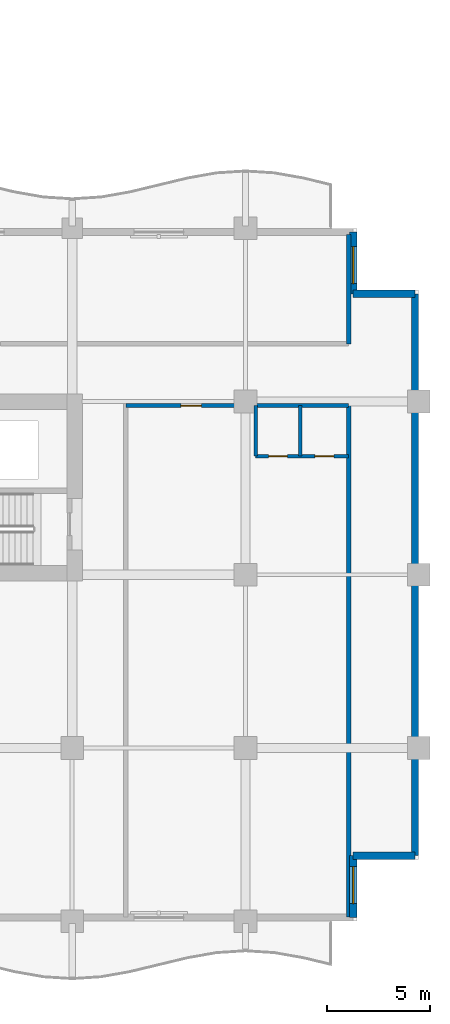
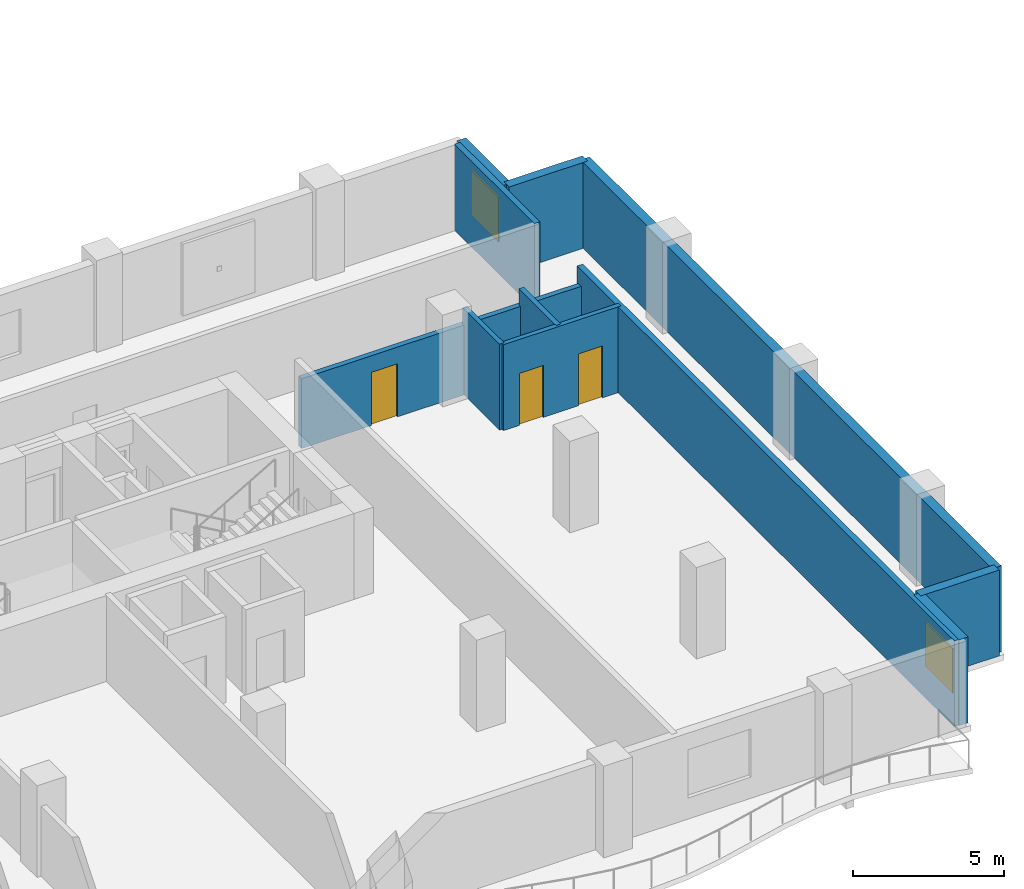
# One storey, part 12 of 20: 11 walls, 3 doors, 2 windows, 5 openings.
"""IFC4 building model written with IfcOpenShell, lengths in metres."""

from ifc_helpers import new_model, si_unit, direction, frame, frame_2d, origin, place, context, subcontext, project, spatial, rectangle, extrude, material, layer, layer_set, type_object, element, fill, save


model = new_model("IFC4")

# Units and contexts
model_context = context("Model", 3, precision=1e-05, world=origin(), true_north=direction((0.0, 1.0)))
body_context = subcontext(model_context, "Body", "Model", "MODEL_VIEW")
ifc_project = project(units=[si_unit("LENGTHUNIT", "METRE"), si_unit("AREAUNIT", "SQUARE_METRE"), si_unit("VOLUMEUNIT", "CUBIC_METRE"), si_unit("PLANEANGLEUNIT", "RADIAN"), si_unit("MASSUNIT", "GRAM", prefix="KILO")], contexts=[model_context])

# Site, building, storey
site_placement = place(None, origin())
site = spatial("IfcSite", under=ifc_project, at=site_placement, CompositionType="ELEMENT")
building_placement = place(site_placement, origin())
building = spatial("IfcBuilding", under=site, at=building_placement, Name="Koriwani Terraces Tower", CompositionType="ELEMENT")
storey_placement = place(building_placement, frame((0.0, 0.0, 175.39990234375)))
storey = spatial("IfcBuildingStorey", under=building, at=storey_placement, Name="L42", CompositionType="ELEMENT", Elevation=175.39990234375)

# Wall, opening, door
ifc_material_1 = material(Name="Autoclaved Cellular Concrete Blockwork", Category="masonry")
ifc_layer_1 = layer(ifc_material_1, 0.199951171875, Name="Autoclaved Cellular Concrete Blockwork")
ifc_layer_set_1 = layer_set([ifc_layer_1], Name="Autoclaved Cellular Concrete Blockwork")
wall_type_1 = type_object("IfcWallType", Name="WALL_CORRIDOR_200", PredefinedType="PARTITIONING", material=ifc_layer_set_1)
wall_1_placement = place(storey_placement, frame((61.39990234375, 25.0, 0.0), z_axis=(0.0, 0.0, 1.0), x_axis=(1.0, 0.0, 0.0)))
wall_1 = element("IfcWall", 1, at=wall_1_placement, inside=storey, type_object=wall_type_1, Name="L42 Interior Wall WRCOR-L42-SE-0", PredefinedType="PARTITIONING", context=body_context, shape_type="SweptSolid", body=[
    extrude(rectangle(XDim=10.800048828125, YDim=0.199951171875, at=frame_2d((5.39990234375, 0.0))), origin(), (0.0, 0.0, 1.0), 2.820068359375),
])
opening_1_placement = place(wall_1_placement, frame((2.669921875, 0.0, 0.0)))
opening_1 = element("IfcOpeningElement", 2, at=opening_1_placement, cuts=wall_1, Name="Opening D-05", PredefinedType="OPENING", context=body_context, shape_type="SweptSolid", body=[
    extrude(rectangle(XDim=1.0, YDim=2.14990234375, at=frame_2d((0.5, 1.074951171875))), frame((0.0, 0.10986328125, 0.0), z_axis=(0.0, -1.0, 0.0), x_axis=(1.0, 0.0, 0.0)), (0.0, 0.0, 1.0), 0.219970703125),
])
ifc_material_2 = material(Name="Architectural Oak Fire Door", Category="wood")
door_type_1 = type_object("IfcDoorType", Name="DOOR_SUITE_ENTRY_1000X2150", OperationType="NOTDEFINED", PredefinedType="DOOR", material=ifc_material_2)
door_1_placement = place(opening_1_placement, origin())
door_1 = element("IfcDoor", 3, at=door_1_placement, inside=storey, type_object=door_type_1, Name="Apartment 42SE1 Entrance Door", OperationType="SINGLE_SWING_RIGHT", OverallHeight=2.14990234375, OverallWidth=1.0, PredefinedType="DOOR", context=body_context, shape_type="SweptSolid", body=[
    extrude(rectangle(XDim=1.0, YDim=2.14990234375, at=frame_2d((0.5, 1.074951171875))), frame((0.0, 0.02490234375, 0.0), z_axis=(0.0, -1.0, 0.0), x_axis=(1.0, 0.0, 0.0)), (0.0, 0.0, 1.0), 0.050048828125),
])
fill(opening_1, door_1)

# Walls
ifc_layer_2 = layer(ifc_material_1, 0.219970703125, Name="Autoclaved Cellular Concrete Blockwork")
ifc_layer_set_2 = layer_set([ifc_layer_2], Name="Autoclaved Cellular Concrete Blockwork")
wall_type_2 = type_object("IfcWallType", Name="WALL_DEMISING_220", PredefinedType="PARTITIONING", material=ifc_layer_set_2)
wall_2_placement = place(storey_placement, frame((72.199951171875, 0.199951171875, 0.0), z_axis=(0.0, 0.0, 1.0), x_axis=(0.0, 1.0, 0.0)))
element("IfcWall", 4, at=wall_2_placement, inside=storey, type_object=wall_type_2, Name="L42 Interior Wall WRDEME-L42-SE", PredefinedType="PARTITIONING", context=body_context, shape_type="SweptSolid", body=[
    extrude(rectangle(XDim=24.97998046875, YDim=0.219970703125, at=frame_2d((12.489990234375, 0.0))), origin(), (0.0, 0.0, 1.0), 3.47021484375),
])
wall_3_placement = place(storey_placement, frame((72.199951171875, 28.0, 0.0), z_axis=(0.0, 0.0, 1.0), x_axis=(0.0, 1.0, 0.0)))
element("IfcWall", 5, at=wall_3_placement, inside=storey, type_object=wall_type_2, Name="L42 Interior Wall WSEC-E-L42", PredefinedType="PARTITIONING", context=body_context, shape_type="SweptSolid", body=[
    extrude(rectangle(XDim=5.300048828125, YDim=0.219970703125, at=frame_2d((2.64990234375, 0.0))), origin(), (0.0, 0.0, 1.0), 3.47021484375),
])

# Wall, opening, window
ifc_material_3 = material(Name="Concrete C50/60", Category="concrete")
ifc_layer_3 = layer(ifc_material_3, 0.35009765625, Name="Concrete C50/60")
ifc_layer_set_3 = layer_set([ifc_layer_3], Name="Concrete C50/60")
wall_type_3 = type_object("IfcWallType", Name="WALL_EXT_BRUTALIST_350", PredefinedType="STANDARD", material=ifc_layer_set_3)
wall_4_placement = place(storey_placement, frame((72.425048828125, 33.425048828125, 0.0), z_axis=(0.0, 0.0, 1.0), x_axis=(0.0, -1.0, 0.0)))
wall_4 = element("IfcWall", 6, at=wall_4_placement, inside=storey, type_object=wall_type_3, Name="L42 Fair-Faced Brutalist Exterior Wall (N10)", PredefinedType="STANDARD", context=body_context, shape_type="SweptSolid", body=[
    extrude(rectangle(XDim=3.0, YDim=0.35009765625, at=frame_2d((1.5, 0.0))), origin(), (0.0, 0.0, 1.0), 3.47021484375),
])
opening_2_placement = place(wall_4_placement, frame((0.71240234375, 0.0, 0.85009765625)))
opening_2 = element("IfcOpeningElement", 7, at=opening_2_placement, cuts=wall_4, Name="Opening W-04", PredefinedType="OPENING", context=body_context, shape_type="SweptSolid", body=[
    extrude(rectangle(XDim=1.800048828125, YDim=1.800048828125, at=frame_2d((0.89990234375, 0.89990234375))), frame((0.0, 0.18505859375, 0.0), z_axis=(0.0, -1.0, 0.0), x_axis=(1.0, 0.0, 0.0)), (0.0, 0.0, 1.0), 0.3701171875),
])
ifc_material_4 = material(Name="Tempered Laminated Low-E Glass", Category="glass")
window_type = type_object("IfcWindowType", Name="WIN_RES_BED_1800X1800", PartitioningType="DOUBLE_PANEL_VERTICAL", PredefinedType="WINDOW", material=ifc_material_4)
window_1_placement = place(opening_2_placement, origin())
window_1 = element("IfcWindow", 8, at=window_1_placement, inside=storey, type_object=window_type, Name="L42 Exterior Window (N10-R56)", OverallHeight=1.800048828125, OverallWidth=1.800048828125, PartitioningType="SINGLE_PANEL", PredefinedType="WINDOW", context=body_context, shape_type="SweptSolid", body=[
    extrude(rectangle(XDim=1.800048828125, YDim=1.800048828125, at=frame_2d((0.89990234375, 0.89990234375))), frame((0.0, 0.030029296875, 0.0), z_axis=(0.0, -1.0, 0.0), x_axis=(1.0, 0.0, 0.0)), (0.0, 0.0, 1.0), 0.06005859375),
])
fill(opening_2, window_1)

# Walls
wall_5_placement = place(storey_placement, frame((72.425048828125, 30.425048828125, 0.0), z_axis=(0.0, 0.0, 1.0), x_axis=(1.0, 0.0, 0.0)))
element("IfcWall", 9, at=wall_5_placement, inside=storey, type_object=wall_type_3, Name="L42 Fair-Faced Brutalist Exterior Wall (N11)", PredefinedType="STANDARD", context=body_context, shape_type="SweptSolid", body=[
    extrude(rectangle(XDim=3.0, YDim=0.35009765625, at=frame_2d((1.5, 0.0))), origin(), (0.0, 0.0, 1.0), 3.47021484375),
])
wall_6_placement = place(storey_placement, frame((75.425048828125, 30.425048828125, 0.0), z_axis=(0.0, 0.0, 1.0), x_axis=(0.0, -1.0, 0.0)))
element("IfcWall", 10, at=wall_6_placement, inside=storey, type_object=wall_type_3, Name="L42 Fair-Faced Brutalist Exterior Wall (E_TIP)", PredefinedType="STANDARD", context=body_context, shape_type="SweptSolid", body=[
    extrude(rectangle(XDim=27.25, YDim=0.35009765625, at=frame_2d((13.625, 0.0))), origin(), (0.0, 0.0, 1.0), 3.47021484375),
])
wall_7_placement = place(storey_placement, frame((75.425048828125, 3.175048828125, 0.0), z_axis=(0.0, 0.0, 1.0), x_axis=(-1.0, 0.0, 0.0)))
element("IfcWall", 11, at=wall_7_placement, inside=storey, type_object=wall_type_3, Name="L42 Fair-Faced Brutalist Exterior Wall (N13)", PredefinedType="STANDARD", context=body_context, shape_type="SweptSolid", body=[
    extrude(rectangle(XDim=3.0, YDim=0.35009765625, at=frame_2d((1.5, 0.0))), origin(), (0.0, 0.0, 1.0), 3.47021484375),
])

# Wall, opening, window
wall_8_placement = place(storey_placement, frame((72.425048828125, 3.175048828125, 0.0), z_axis=(0.0, 0.0, 1.0), x_axis=(0.0, -1.0, 0.0)))
wall_8 = element("IfcWall", 12, at=wall_8_placement, inside=storey, type_object=wall_type_3, Name="L42 Fair-Faced Brutalist Exterior Wall (N14)", PredefinedType="STANDARD", context=body_context, shape_type="SweptSolid", body=[
    extrude(rectangle(XDim=3.0, YDim=0.35009765625, at=frame_2d((1.5, 0.0))), origin(), (0.0, 0.0, 1.0), 3.47021484375),
])
opening_3_placement = place(wall_8_placement, frame((0.5224609375, 0.0, 0.85009765625)))
opening_3 = element("IfcOpeningElement", 13, at=opening_3_placement, cuts=wall_8, Name="Opening W-04", PredefinedType="OPENING", context=body_context, shape_type="SweptSolid", body=[
    extrude(rectangle(XDim=1.800048828125, YDim=1.800048828125, at=frame_2d((0.89990234375, 0.89990234375))), frame((0.0, 0.18505859375, 0.0), z_axis=(0.0, -1.0, 0.0), x_axis=(1.0, 0.0, 0.0)), (0.0, 0.0, 1.0), 0.3701171875),
])
window_2_placement = place(opening_3_placement, origin())
window_2 = element("IfcWindow", 14, at=window_2_placement, inside=storey, type_object=window_type, Name="L42 Exterior Window (N14-R55)", OverallHeight=1.800048828125, OverallWidth=1.800048828125, PartitioningType="SINGLE_PANEL", PredefinedType="WINDOW", context=body_context, shape_type="SweptSolid", body=[
    extrude(rectangle(XDim=1.800048828125, YDim=1.800048828125, at=frame_2d((0.89990234375, 0.89990234375))), frame((0.0, 0.030029296875, 0.0), z_axis=(0.0, -1.0, 0.0), x_axis=(1.0, 0.0, 0.0)), (0.0, 0.0, 1.0), 0.06005859375),
])
fill(opening_3, window_2)

# Wall, openings, doors
ifc_material_5 = material(Name="Fire-Rated Acoustic Gypsum Partition", Category="masonry")
ifc_layer_4 = layer(ifc_material_5, 0.179931640625, Name="Fire-Rated Acoustic Gypsum Partition")
ifc_layer_set_4 = layer_set([ifc_layer_4], Name="Fire-Rated Acoustic Gypsum Partition")
wall_type_4 = type_object("IfcWallType", Name="WALL_PLUMBING_180", PredefinedType="PLUMBINGWALL", material=ifc_layer_set_4)
wall_9_placement = place(storey_placement, frame((67.699951171875, 22.550048828125, 0.0), z_axis=(0.0, 0.0, 1.0), x_axis=(1.0, 0.0, 0.0)))
wall_9 = element("IfcWall", 15, at=wall_9_placement, inside=storey, type_object=wall_type_4, Name="L42 Interior Wall WRSVC-L42-SE-0", PredefinedType="PLUMBINGWALL", context=body_context, shape_type="SweptSolid", body=[
    extrude(rectangle(XDim=4.5, YDim=0.179931640625, at=frame_2d((2.25, 0.0))), origin(), (0.0, 0.0, 1.0), 3.47021484375),
])
opening_4_placement = place(wall_9_placement, frame((0.6298828125, 0.0, 0.0)))
opening_4 = element("IfcOpeningElement", 16, at=opening_4_placement, cuts=wall_9, Name="Opening D-07", PredefinedType="OPENING", context=body_context, shape_type="SweptSolid", body=[
    extrude(rectangle(XDim=0.89990234375, YDim=2.10009765625, at=frame_2d((0.449951171875, 1.050048828125))), frame((0.0, 0.10009765625, 0.0), z_axis=(0.0, -1.0, 0.0), x_axis=(1.0, 0.0, 0.0)), (0.0, 0.0, 1.0), 0.199951171875),
])
opening_5_placement = place(wall_9_placement, frame((2.8701171875, 0.0, 0.0)))
opening_5 = element("IfcOpeningElement", 17, at=opening_5_placement, cuts=wall_9, Name="Opening D-06", PredefinedType="OPENING", context=body_context, shape_type="SweptSolid", body=[
    extrude(rectangle(XDim=0.919921875, YDim=2.10009765625, at=frame_2d((0.4599609375, 1.050048828125))), frame((0.0, 0.10009765625, 0.0), z_axis=(0.0, -1.0, 0.0), x_axis=(1.0, 0.0, 0.0)), (0.0, 0.0, 1.0), 0.199951171875),
])
door_type_2 = type_object("IfcDoorType", Name="DOOR_BATH_INT_900X2100", OperationType="NOTDEFINED", PredefinedType="DOOR", material=ifc_material_2)
door_2_placement = place(opening_4_placement, origin())
door_2 = element("IfcDoor", 18, at=door_2_placement, inside=storey, type_object=door_type_2, Name="Apartment 42SE1 Bathroom Door", OperationType="SINGLE_SWING_LEFT", OverallHeight=2.10009765625, OverallWidth=0.89990234375, PredefinedType="DOOR", context=body_context, shape_type="SweptSolid", body=[
    extrude(rectangle(XDim=0.89990234375, YDim=2.10009765625, at=frame_2d((0.449951171875, 1.050048828125))), frame((0.0, 0.02490234375, 0.0), z_axis=(0.0, -1.0, 0.0), x_axis=(1.0, 0.0, 0.0)), (0.0, 0.0, 1.0), 0.050048828125),
])
fill(opening_4, door_2)
door_type_3 = type_object("IfcDoorType", Name="DOOR_ROOM_INT_920X2100", OperationType="NOTDEFINED", PredefinedType="DOOR", material=ifc_material_2)
door_3_placement = place(opening_5_placement, origin())
door_3 = element("IfcDoor", 19, at=door_3_placement, inside=storey, type_object=door_type_3, Name="Apartment 42SE1 Kitchen Door", OperationType="SINGLE_SWING_RIGHT", OverallHeight=2.10009765625, OverallWidth=0.919921875, PredefinedType="DOOR", context=body_context, shape_type="SweptSolid", body=[
    extrude(rectangle(XDim=0.919921875, YDim=2.10009765625, at=frame_2d((0.4599609375, 1.050048828125))), frame((0.0, 0.02490234375, 0.0), z_axis=(0.0, -1.0, 0.0), x_axis=(1.0, 0.0, 0.0)), (0.0, 0.0, 1.0), 0.050048828125),
])
fill(opening_5, door_3)

# Walls
for number, where, z_axis, x_axis, name in (
    (20, (67.699951171875, 22.550048828125, 0.0), (0.0, 0.0, 1.0), (0.0, 1.0, 0.0), "L42 Interior Wall WRSVCS-L42-SE-0"),
    (21, (69.860107421875, 22.550048828125, 0.0), (0.0, 0.0, 1.0), (0.0, 1.0, 0.0), "L42 Interior Wall WRSVCM-L42-SE-0"),
):
    element("IfcWall", number, at=place(storey_placement, frame(where, z_axis=z_axis, x_axis=x_axis)), inside=storey, type_object=wall_type_4, Name=name, PredefinedType="PLUMBINGWALL", context=body_context, shape_type="SweptSolid", body=[
        extrude(rectangle(XDim=2.449951171875, YDim=0.179931640625, at=frame_2d((1.22509765625, 0.0))), origin(), (0.0, 0.0, 1.0), 3.47021484375),
    ])

save(model, "model.ifc")
